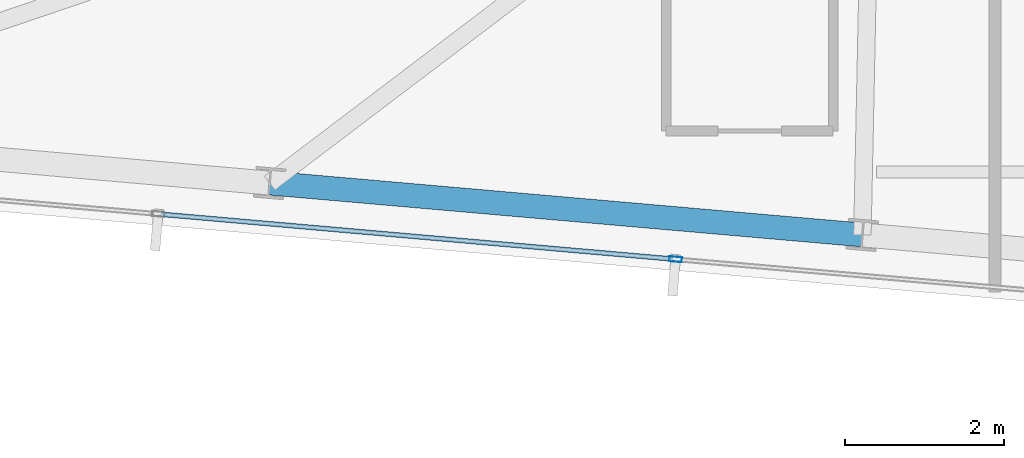
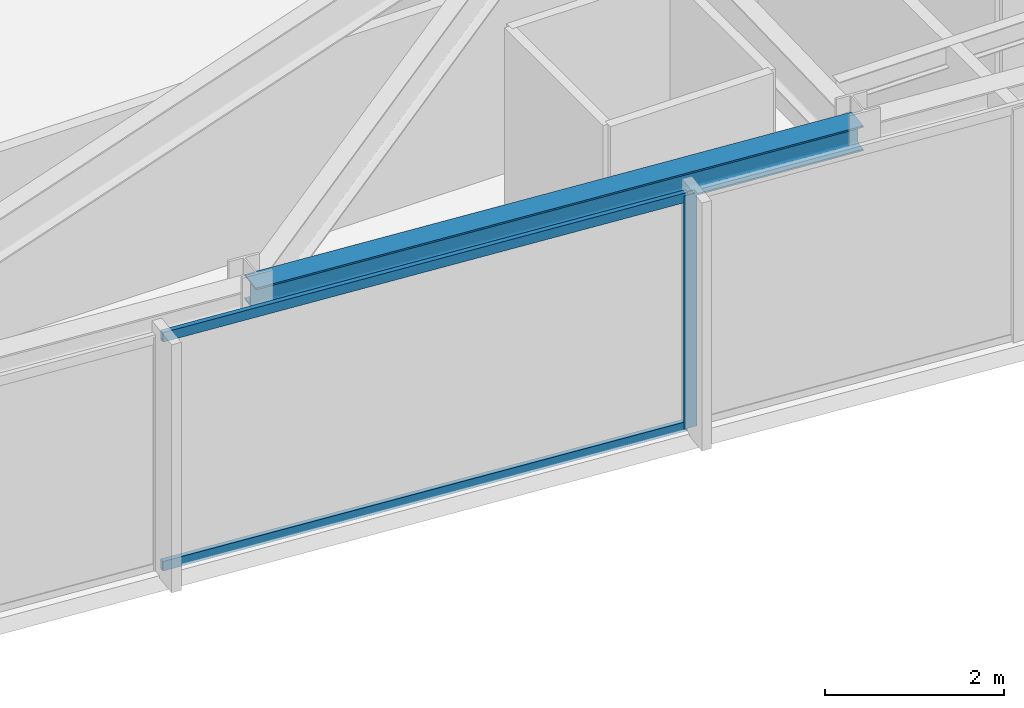
# One storey, part 3 of 33: 3 members, 1 beam, 1 element without a shape of its own.
"""IFC4 building model written with IfcOpenShell, lengths in metres."""

import ifcopenshell
import ifcopenshell.guid

model = None  # the IFC model being written
_history = None  # IfcOwnerHistory: only IFC2X3 demands one
_inside = {}  # id of a spatial element -> (the spatial element, [elements in it])
_under = {}  # id of a project, library or spatial element -> (it, [spatial elements below it])
_declared = {}  # id of a project -> (the project, [libraries it declares])
_typed = {}  # id of a type object -> (the type object, [elements of that type])
_made_of = {}  # id of a material, layer set ... -> (it, [elements and type objects made of it])


def new_model(schema):
    """Start an empty IFC model of exactly this schema.

    Asked for "IFC4X3", IfcOpenShell would pick the latest addendum, in which some entities
    have other attributes; the version numbers below select the first issue.
    IFC2X3 requires an IfcOwnerHistory on every rooted entity: one is made here for all.
    """
    global model, _history
    if schema == "IFC4X3":
        model = ifcopenshell.file(schema_version=(4, 3, 0, 0))
    else:
        model = ifcopenshell.file(schema=schema)
    _inside.clear()
    _under.clear()
    _declared.clear()
    _typed.clear()
    _made_of.clear()
    _history = None
    if model.schema == "IFC2X3":
        org = make("IfcOrganization", Name="unknown")
        user = make(
            "IfcPersonAndOrganization",
            ThePerson=make("IfcPerson", FamilyName="unknown"),
            TheOrganization=org,
        )
        app = make(
            "IfcApplication",
            ApplicationDeveloper=org,
            Version="unknown",
            ApplicationFullName="unknown",
            ApplicationIdentifier="unknown",
        )
        _history = make(
            "IfcOwnerHistory",
            OwningUser=user,
            OwningApplication=app,
            ChangeAction="ADDED",
            CreationDate=0,
        )
    return model


def make(cls, **values):
    """One entity of the class cls with the attributes given. An attribute that is None is left unset."""
    return model.create_entity(
        cls, **{name: value for name, value in values.items() if value is not None}
    )


def rooted(cls, **values):
    """An entity with a GlobalId (a new one), such as an element, a storey or a relation."""
    return make(cls, GlobalId=ifcopenshell.guid.new(), OwnerHistory=_history, **values)


def si_unit(unit_type, name, prefix=None):
    """IfcSIUnit, for example si_unit("LENGTHUNIT", "METRE", prefix="MILLI")."""
    return make("IfcSIUnit", UnitType=unit_type, Prefix=prefix, Name=name)


def assignment(units):
    """IfcUnitAssignment: the units of a project."""
    return None if units is None else make("IfcUnitAssignment", Units=units)


def point(xyz):
    """IfcCartesianPoint."""
    return None if xyz is None else make("IfcCartesianPoint", Coordinates=xyz)


def direction(xyz):
    """IfcDirection."""
    return None if xyz is None else make("IfcDirection", DirectionRatios=xyz)


def frame(location, z_axis=None, x_axis=None):
    """IfcAxis2Placement3D, a coordinate frame: its origin and axes. An axis left out is left unset."""
    return make(
        "IfcAxis2Placement3D",
        Location=point(location),
        Axis=direction(z_axis),
        RefDirection=direction(x_axis),
    )


def frame_2d(location, x_axis=None):
    """IfcAxis2Placement2D, a coordinate frame in the plane: its origin and x axis."""
    return make(
        "IfcAxis2Placement2D", Location=point(location), RefDirection=direction(x_axis)
    )


def origin():
    """The frame at (0, 0, 0) with its axes left unset."""
    return frame((0.0, 0.0, 0.0))


def origin_2d():
    """The frame at (0, 0) in the plane with its x axis left unset."""
    return frame_2d((0.0, 0.0))


def place(relative_to, where):
    """IfcLocalPlacement: puts the frame where relative to a parent placement (None: the world)."""
    return make(
        "IfcLocalPlacement", PlacementRelTo=relative_to, RelativePlacement=where
    )


def context(
    kind, dimensions, precision=None, world=None, true_north=None, identifier=None
):
    """IfcGeometricRepresentationContext, for example the 3D "Model" context."""
    return make(
        "IfcGeometricRepresentationContext",
        ContextIdentifier=identifier,
        ContextType=kind,
        CoordinateSpaceDimension=dimensions,
        Precision=precision,
        WorldCoordinateSystem=world,
        TrueNorth=true_north,
    )


def subcontext(parent, identifier, kind, view, scale=None):
    """IfcGeometricRepresentationSubContext, for example "Body" below "Model"."""
    return make(
        "IfcGeometricRepresentationSubContext",
        ContextIdentifier=identifier,
        ContextType=kind,
        ParentContext=parent,
        TargetScale=scale,
        TargetView=view,
    )


def project(units=None, contexts=None):
    """IfcProject with its units and contexts."""
    return rooted(
        "IfcProject",
        Name="project",
        RepresentationContexts=contexts,
        UnitsInContext=assignment(units),
    )


def spatial(cls, under=None, at=None, **own):
    """A site, building, storey or space (cls), placed at a placement, below another one or the project."""
    s = rooted(cls, ObjectPlacement=at, **own)
    if under is not None:
        _under.setdefault(under.id(), (under, []))[1].append(s)
    return s


def profile(cls, at=None, kind="AREA", **sizes):
    """A parametric profile (cls). Its sizes go by their IFC names, for example OverallWidth=200.0."""
    return make(cls, ProfileType=kind, Position=at, **sizes)


def hollow_rectangle(**sizes):
    """IfcRectangleHollowProfileDef."""
    return profile("IfcRectangleHollowProfileDef", **sizes)


def i_section(**sizes):
    """IfcIShapeProfileDef."""
    return profile("IfcIShapeProfileDef", **sizes)


def extrude(swept, where, along, depth):
    """IfcExtrudedAreaSolid: the profile swept, set in the frame where, extruded along a direction by depth."""
    return make(
        "IfcExtrudedAreaSolid",
        SweptArea=swept,
        Position=where,
        ExtrudedDirection=direction(along),
        Depth=depth,
    )


def shape(context_of_items, identifier, shape_type, items):
    """IfcShapeRepresentation: the items that make up one representation, for example the "Body"."""
    return make(
        "IfcShapeRepresentation",
        ContextOfItems=context_of_items,
        RepresentationIdentifier=identifier,
        RepresentationType=shape_type,
        Items=items,
    )


def material(Name=None, Category=None):
    """IfcMaterial."""
    return make("IfcMaterial", Name=Name, Category=Category)


def material_profile(
    of_material, cross_section, Name=None, Category=None, Priority=None
):
    """IfcMaterialProfile: a cross section and its material."""
    return make(
        "IfcMaterialProfile",
        Name=Name,
        Material=of_material,
        Profile=cross_section,
        Priority=Priority,
        Category=Category,
    )


def profile_set(profiles, Name=None, composite=None):
    """IfcMaterialProfileSet."""
    return make(
        "IfcMaterialProfileSet",
        Name=Name,
        MaterialProfiles=profiles,
        CompositeProfile=composite,
    )


def made_of(thing, what):
    """Note that an element or type object is made of a material, layer set ...; save() writes the relation."""
    if what is not None:
        _made_of.setdefault(what.id(), (what, []))[1].append(thing)
    return thing


def type_object(cls, material=None, **own):
    """A type object (cls), such as IfcWallType, which elements share."""
    return made_of(rooted(cls, **own), material)


def element(
    cls,
    number,
    at=None,
    inside=None,
    cuts=None,
    type_object=None,
    material=None,
    context=None,
    identifier="Body",
    shape_type=None,
    held_by="IfcProductDefinitionShape",
    body=None,
    shapes=None,
    **own,
):
    """One element of the class cls, such as IfcWall. Its Tag is "e" and its number.

    at: its placement. inside: the storey or other place that contains it. cuts: it is an
    opening in that element (IfcRelVoidsElement). A single representation is given by context,
    identifier, shape_type and body (its items); several are given by shapes. held_by: the class
    of the entity that holds the representations. save() writes the other relations.
    """
    e = rooted(cls, Tag="e%d" % number, ObjectPlacement=at, **own)
    if body is not None:
        shapes = [shape(context, identifier, shape_type, body)]
    if shapes is not None:
        e.Representation = make(held_by, Representations=shapes)
    if inside is not None:
        _inside.setdefault(inside.id(), (inside, []))[1].append(e)
    if cuts is not None:
        rooted(
            "IfcRelVoidsElement", RelatingBuildingElement=cuts, RelatedOpeningElement=e
        )
    if type_object is not None:
        _typed.setdefault(type_object.id(), (type_object, []))[1].append(e)
    return made_of(e, material)


def aggregate(whole, parts):
    """IfcRelAggregates: a whole, such as a stair, and the parts it consists of."""
    return rooted("IfcRelAggregates", RelatingObject=whole, RelatedObjects=parts)


def save(model, path):
    """Write the relations noted so far, then the file.

    IfcRelAggregates (storeys below a building ...), IfcRelContainedInSpatialStructure (elements
    in a storey), IfcRelDefinesByType, IfcRelAssociatesMaterial and IfcRelDeclares: one each for
    every whole, place, type object, material and project.
    """
    for whole, parts in _under.values():
        aggregate(whole, parts)
    for where, things in _inside.values():
        rooted(
            "IfcRelContainedInSpatialStructure",
            RelatedElements=things,
            RelatingStructure=where,
        )
    for kind, things in _typed.values():
        rooted("IfcRelDefinesByType", RelatedObjects=things, RelatingType=kind)
    for what, things in _made_of.values():
        rooted("IfcRelAssociatesMaterial", RelatedObjects=things, RelatingMaterial=what)
    for by, libraries in _declared.values():
        rooted("IfcRelDeclares", RelatingContext=by, RelatedDefinitions=libraries)
    model.write(path)


model = new_model("IFC4")

# Units and contexts
model_context = context("Model", 3, precision=1e-05, world=origin(), true_north=direction((0.0, 1.0)))
body_context = subcontext(model_context, "Body", "Model", "MODEL_VIEW")
ifc_project = project(units=[si_unit("LENGTHUNIT", "METRE"), si_unit("AREAUNIT", "SQUARE_METRE"), si_unit("VOLUMEUNIT", "CUBIC_METRE"), si_unit("PLANEANGLEUNIT", "RADIAN"), si_unit("MASSUNIT", "GRAM", prefix="KILO")], contexts=[model_context])

# Site, building, storey
site_placement = place(None, origin())
site = spatial("IfcSite", under=ifc_project, at=site_placement, CompositionType="ELEMENT")
building_placement = place(site_placement, origin())
building = spatial("IfcBuilding", under=site, at=building_placement, Name="Yelkora Congress Tower", CompositionType="ELEMENT")
storey_placement = place(building_placement, frame((0.0, 0.0, 286.300048828125)))
storey = spatial("IfcBuildingStorey", under=building, at=storey_placement, Name="L80", CompositionType="ELEMENT", Elevation=286.300048828125)

# Beam
ifc_material_1 = material(Name="Steel S355J2", Category="steel")
ifc_material_profile_1 = material_profile(ifc_material_1, i_section(OverallWidth=0.300048828125, OverallDepth=0.340087890625, WebThickness=0.011962890625, FlangeThickness=0.021484375, FilletRadius=0.027099609375, at=origin_2d()), Name="HEB 340")
ifc_profile_set_1 = profile_set([ifc_material_profile_1], Name="Steel S355J2")
beam_type = type_object("IfcBeamType", Name="BM-SPAN-HEB340", PredefinedType="SPANDREL", material=ifc_profile_set_1)
beam_placement = place(storey_placement, frame((15.452880859375, 19.445556640625, 3.010009765625), z_axis=(0.996193186297, -0.08717302092, 0.0), x_axis=(0.08717302092, 0.996193186297, 0.0)))
element("IfcBeam", 1, at=beam_placement, inside=storey, type_object=beam_type, Name="L80 Perimeter Beam 2", PredefinedType="SPANDREL", context=body_context, shape_type="SweptSolid", body=[
    extrude(i_section(OverallWidth=0.300048828125, OverallDepth=0.340087890625, WebThickness=0.011962890625, FlangeThickness=0.021484375, FilletRadius=0.027099609375, at=origin_2d()), origin(), (0.0, 0.0, 1.0), 7.4833984375),
])

# Curtain wall, members
ifc_material_2 = material(Name="Anodised aluminium and insulated glass", Category="aluminium")
curtain_wall_type = type_object("IfcCurtainWallType", Name="CW-SYS-B5", PredefinedType="NOTDEFINED", material=ifc_material_2)
curtain_wall_placement = place(storey_placement, origin())
curtain_wall = element("IfcCurtainWall", 2, at=curtain_wall_placement, inside=storey, type_object=curtain_wall_type, Name="L80 Unitised Curtain Wall 20", PredefinedType="NOTDEFINED")
ifc_material_3 = material(Name="Anodised aluminium 6063-T6", Category="aluminium")
ifc_material_profile_2 = material_profile(ifc_material_3, hollow_rectangle(XDim=0.06494140625, YDim=0.159912109375, WallThickness=0.00390625, at=origin_2d()), Name="ALU 65x160x4")
ifc_profile_set_2 = profile_set([ifc_material_profile_2], Name="Anodised aluminium 6063-T6")
member_type_1 = type_object("IfcMemberType", Name="MEM-ML-B5", PredefinedType="MULLION", material=ifc_profile_set_2)
member_1_placement = place(storey_placement, frame((20.558349609375, 18.487060546875, 0.0), z_axis=(0.0, 0.0, 1.0), x_axis=(-0.087156829793, -0.996194602987, 0.0)))
member_1 = element("IfcMember", 3, at=member_1_placement, type_object=member_type_1, Name="CW-B5 mullion 6", PredefinedType="MULLION", context=body_context, shape_type="SweptSolid", body=[
    extrude(hollow_rectangle(XDim=0.06494140625, YDim=0.159912109375, WallThickness=0.00390625, at=origin_2d()), origin(), (0.0, 0.0, 1.0), 3.179931640625),
])
ifc_material_profile_3 = material_profile(ifc_material_3, hollow_rectangle(XDim=0.06005859375, YDim=0.1298828125, WallThickness=0.00390625, at=origin_2d()), Name="ALU 60x130x4")
ifc_profile_set_3 = profile_set([ifc_material_profile_3], Name="Anodised aluminium 6063-T6")
member_type_2 = type_object("IfcMemberType", Name="MEM-TR-B5", PredefinedType="USERDEFINED", material=ifc_profile_set_3)
member_2_placement = place(storey_placement, frame((20.52587890625, 18.48974609375, 0.030029296875), z_axis=(-0.99619269288, 0.087178659385, 0.0), x_axis=(-0.087178659385, -0.99619269288, 0.0)))
member_2 = element("IfcMember", 4, at=member_2_placement, type_object=member_type_2, Name="CW-B5 transom 6.1", ObjectType="TRANSOM", PredefinedType="USERDEFINED", context=body_context, shape_type="SweptSolid", body=[
    extrude(hollow_rectangle(XDim=0.06005859375, YDim=0.1298828125, WallThickness=0.00390625, at=origin_2d()), origin(), (0.0, 0.0, 1.0), 6.46630859375),
])
member_3_placement = place(storey_placement, frame((20.52587890625, 18.48974609375, 3.14990234375), z_axis=(-0.99619269288, 0.087178659385, 0.0), x_axis=(-0.087178659385, -0.99619269288, 0.0)))
member_3 = element("IfcMember", 5, at=member_3_placement, type_object=member_type_2, Name="CW-B5 transom 6.2", ObjectType="TRANSOM", PredefinedType="USERDEFINED", context=body_context, shape_type="SweptSolid", body=[
    extrude(hollow_rectangle(XDim=0.06005859375, YDim=0.1298828125, WallThickness=0.00390625, at=origin_2d()), origin(), (0.0, 0.0, 1.0), 6.46630859375),
])
aggregate(curtain_wall, [member_1, member_2, member_3])

save(model, "model.ifc")
